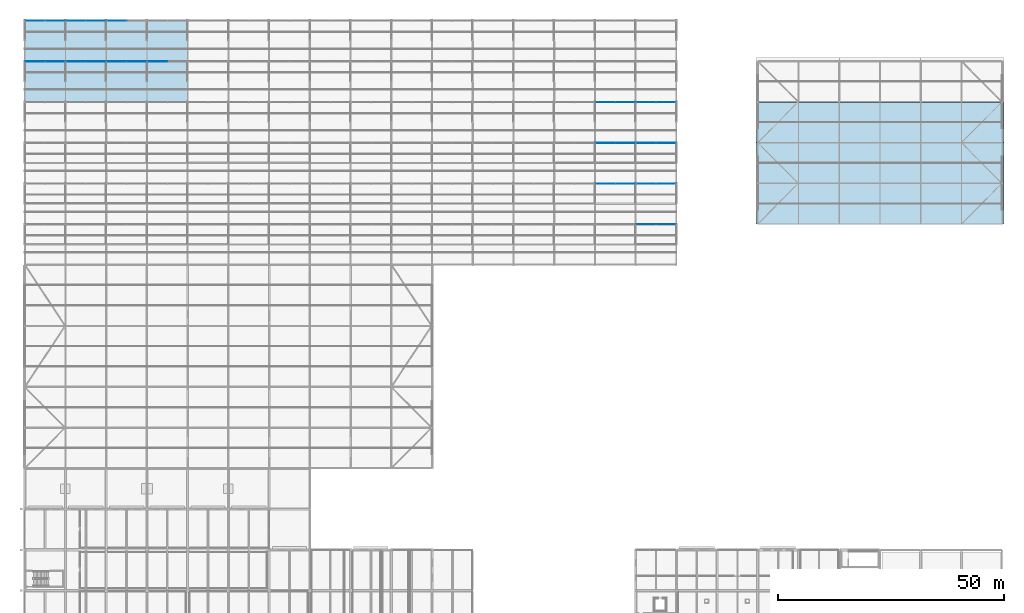
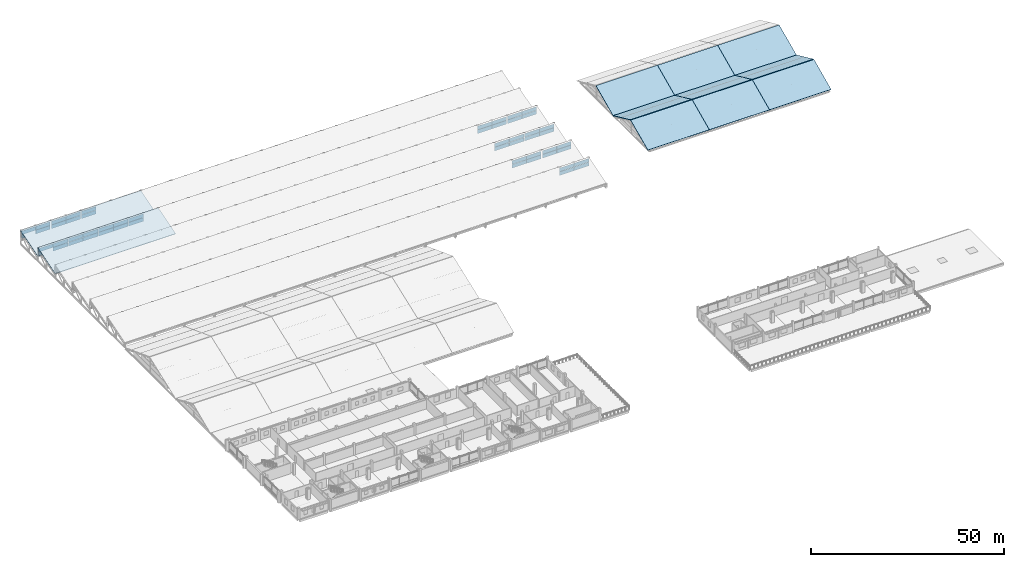
# One storey, part 114 of 163: 52 plates, 11 slabs, 14 elements without a shape of their own.
"""IFC4 building model written with IfcOpenShell, lengths in metres."""

import ifcopenshell
import ifcopenshell.guid

model = None  # the IFC model being written
_history = None  # IfcOwnerHistory: only IFC2X3 demands one
_inside = {}  # id of a spatial element -> (the spatial element, [elements in it])
_under = {}  # id of a project, library or spatial element -> (it, [spatial elements below it])
_declared = {}  # id of a project -> (the project, [libraries it declares])
_typed = {}  # id of a type object -> (the type object, [elements of that type])
_made_of = {}  # id of a material, layer set ... -> (it, [elements and type objects made of it])


def new_model(schema):
    """Start an empty IFC model of exactly this schema.

    Asked for "IFC4X3", IfcOpenShell would pick the latest addendum, in which some entities
    have other attributes; the version numbers below select the first issue.
    IFC2X3 requires an IfcOwnerHistory on every rooted entity: one is made here for all.
    """
    global model, _history
    if schema == "IFC4X3":
        model = ifcopenshell.file(schema_version=(4, 3, 0, 0))
    else:
        model = ifcopenshell.file(schema=schema)
    _inside.clear()
    _under.clear()
    _declared.clear()
    _typed.clear()
    _made_of.clear()
    _history = None
    if model.schema == "IFC2X3":
        org = make("IfcOrganization", Name="unknown")
        user = make(
            "IfcPersonAndOrganization",
            ThePerson=make("IfcPerson", FamilyName="unknown"),
            TheOrganization=org,
        )
        app = make(
            "IfcApplication",
            ApplicationDeveloper=org,
            Version="unknown",
            ApplicationFullName="unknown",
            ApplicationIdentifier="unknown",
        )
        _history = make(
            "IfcOwnerHistory",
            OwningUser=user,
            OwningApplication=app,
            ChangeAction="ADDED",
            CreationDate=0,
        )
    return model


def make(cls, **values):
    """One entity of the class cls with the attributes given. An attribute that is None is left unset."""
    return model.create_entity(
        cls, **{name: value for name, value in values.items() if value is not None}
    )


def rooted(cls, **values):
    """An entity with a GlobalId (a new one), such as an element, a storey or a relation."""
    return make(cls, GlobalId=ifcopenshell.guid.new(), OwnerHistory=_history, **values)


def si_unit(unit_type, name, prefix=None):
    """IfcSIUnit, for example si_unit("LENGTHUNIT", "METRE", prefix="MILLI")."""
    return make("IfcSIUnit", UnitType=unit_type, Prefix=prefix, Name=name)


def assignment(units):
    """IfcUnitAssignment: the units of a project."""
    return None if units is None else make("IfcUnitAssignment", Units=units)


def point(xyz):
    """IfcCartesianPoint."""
    return None if xyz is None else make("IfcCartesianPoint", Coordinates=xyz)


def direction(xyz):
    """IfcDirection."""
    return None if xyz is None else make("IfcDirection", DirectionRatios=xyz)


def frame(location, z_axis=None, x_axis=None):
    """IfcAxis2Placement3D, a coordinate frame: its origin and axes. An axis left out is left unset."""
    return make(
        "IfcAxis2Placement3D",
        Location=point(location),
        Axis=direction(z_axis),
        RefDirection=direction(x_axis),
    )


def frame_2d(location, x_axis=None):
    """IfcAxis2Placement2D, a coordinate frame in the plane: its origin and x axis."""
    return make(
        "IfcAxis2Placement2D", Location=point(location), RefDirection=direction(x_axis)
    )


def origin():
    """The frame at (0, 0, 0) with its axes left unset."""
    return frame((0.0, 0.0, 0.0))


def origin_2d():
    """The frame at (0, 0) in the plane with its x axis left unset."""
    return frame_2d((0.0, 0.0))


def place(relative_to, where):
    """IfcLocalPlacement: puts the frame where relative to a parent placement (None: the world)."""
    return make(
        "IfcLocalPlacement", PlacementRelTo=relative_to, RelativePlacement=where
    )


def context(
    kind, dimensions, precision=None, world=None, true_north=None, identifier=None
):
    """IfcGeometricRepresentationContext, for example the 3D "Model" context."""
    return make(
        "IfcGeometricRepresentationContext",
        ContextIdentifier=identifier,
        ContextType=kind,
        CoordinateSpaceDimension=dimensions,
        Precision=precision,
        WorldCoordinateSystem=world,
        TrueNorth=true_north,
    )


def subcontext(parent, identifier, kind, view, scale=None):
    """IfcGeometricRepresentationSubContext, for example "Body" below "Model"."""
    return make(
        "IfcGeometricRepresentationSubContext",
        ContextIdentifier=identifier,
        ContextType=kind,
        ParentContext=parent,
        TargetScale=scale,
        TargetView=view,
    )


def project(units=None, contexts=None):
    """IfcProject with its units and contexts."""
    return rooted(
        "IfcProject",
        Name="project",
        RepresentationContexts=contexts,
        UnitsInContext=assignment(units),
    )


def spatial(cls, under=None, at=None, **own):
    """A site, building, storey or space (cls), placed at a placement, below another one or the project."""
    s = rooted(cls, ObjectPlacement=at, **own)
    if under is not None:
        _under.setdefault(under.id(), (under, []))[1].append(s)
    return s


def polyline(points):
    """IfcPolyline through the points."""
    return make("IfcPolyline", Points=[point(p) for p in points])


def profile(cls, at=None, kind="AREA", **sizes):
    """A parametric profile (cls). Its sizes go by their IFC names, for example OverallWidth=200.0."""
    return make(cls, ProfileType=kind, Position=at, **sizes)


def rectangle(**sizes):
    """IfcRectangleProfileDef."""
    return profile("IfcRectangleProfileDef", **sizes)


def outline(outer, holes=None, kind="AREA"):
    """IfcArbitraryClosedProfileDef: a profile drawn as a closed curve; with holes, ...WithVoids."""
    if holes is None:
        return make("IfcArbitraryClosedProfileDef", ProfileType=kind, OuterCurve=outer)
    return make(
        "IfcArbitraryProfileDefWithVoids",
        ProfileType=kind,
        OuterCurve=outer,
        InnerCurves=holes,
    )


def extrude(swept, where, along, depth):
    """IfcExtrudedAreaSolid: the profile swept, set in the frame where, extruded along a direction by depth."""
    return make(
        "IfcExtrudedAreaSolid",
        SweptArea=swept,
        Position=where,
        ExtrudedDirection=direction(along),
        Depth=depth,
    )


def shape(context_of_items, identifier, shape_type, items):
    """IfcShapeRepresentation: the items that make up one representation, for example the "Body"."""
    return make(
        "IfcShapeRepresentation",
        ContextOfItems=context_of_items,
        RepresentationIdentifier=identifier,
        RepresentationType=shape_type,
        Items=items,
    )


def material(Name=None, Category=None):
    """IfcMaterial."""
    return make("IfcMaterial", Name=Name, Category=Category)


def layer(
    of_material, thickness, ventilated=None, Name=None, Category=None, Priority=None
):
    """IfcMaterialLayer: one layer of a wall or slab, of a material (None: an air gap)."""
    return make(
        "IfcMaterialLayer",
        Material=of_material,
        LayerThickness=thickness,
        IsVentilated=ventilated,
        Name=Name,
        Category=Category,
        Priority=Priority,
    )


def layer_set(layers, Name=None):
    """IfcMaterialLayerSet."""
    return make("IfcMaterialLayerSet", MaterialLayers=layers, LayerSetName=Name)


def made_of(thing, what):
    """Note that an element or type object is made of a material, layer set ...; save() writes the relation."""
    if what is not None:
        _made_of.setdefault(what.id(), (what, []))[1].append(thing)
    return thing


def type_object(cls, material=None, **own):
    """A type object (cls), such as IfcWallType, which elements share."""
    return made_of(rooted(cls, **own), material)


def element(
    cls,
    number,
    at=None,
    inside=None,
    cuts=None,
    type_object=None,
    material=None,
    context=None,
    identifier="Body",
    shape_type=None,
    held_by="IfcProductDefinitionShape",
    body=None,
    shapes=None,
    **own,
):
    """One element of the class cls, such as IfcWall. Its Tag is "e" and its number.

    at: its placement. inside: the storey or other place that contains it. cuts: it is an
    opening in that element (IfcRelVoidsElement). A single representation is given by context,
    identifier, shape_type and body (its items); several are given by shapes. held_by: the class
    of the entity that holds the representations. save() writes the other relations.
    """
    e = rooted(cls, Tag="e%d" % number, ObjectPlacement=at, **own)
    if body is not None:
        shapes = [shape(context, identifier, shape_type, body)]
    if shapes is not None:
        e.Representation = make(held_by, Representations=shapes)
    if inside is not None:
        _inside.setdefault(inside.id(), (inside, []))[1].append(e)
    if cuts is not None:
        rooted(
            "IfcRelVoidsElement", RelatingBuildingElement=cuts, RelatedOpeningElement=e
        )
    if type_object is not None:
        _typed.setdefault(type_object.id(), (type_object, []))[1].append(e)
    return made_of(e, material)


def aggregate(whole, parts):
    """IfcRelAggregates: a whole, such as a stair, and the parts it consists of."""
    return rooted("IfcRelAggregates", RelatingObject=whole, RelatedObjects=parts)


def save(model, path):
    """Write the relations noted so far, then the file.

    IfcRelAggregates (storeys below a building ...), IfcRelContainedInSpatialStructure (elements
    in a storey), IfcRelDefinesByType, IfcRelAssociatesMaterial and IfcRelDeclares: one each for
    every whole, place, type object, material and project.
    """
    for whole, parts in _under.values():
        aggregate(whole, parts)
    for where, things in _inside.values():
        rooted(
            "IfcRelContainedInSpatialStructure",
            RelatedElements=things,
            RelatingStructure=where,
        )
    for kind, things in _typed.values():
        rooted("IfcRelDefinesByType", RelatedObjects=things, RelatingType=kind)
    for what, things in _made_of.values():
        rooted("IfcRelAssociatesMaterial", RelatedObjects=things, RelatingMaterial=what)
    for by, libraries in _declared.values():
        rooted("IfcRelDeclares", RelatingContext=by, RelatedDefinitions=libraries)
    model.write(path)


model = new_model("IFC4")

# Units and contexts
model_context = context("Model", 3, precision=1e-05, world=origin(), true_north=direction((0.0, 1.0)))
body_context = subcontext(model_context, "Body", "Model", "MODEL_VIEW")
ifc_project = project(units=[si_unit("LENGTHUNIT", "METRE"), si_unit("AREAUNIT", "SQUARE_METRE"), si_unit("VOLUMEUNIT", "CUBIC_METRE"), si_unit("PLANEANGLEUNIT", "RADIAN"), si_unit("MASSUNIT", "GRAM", prefix="KILO")], contexts=[model_context])

# Site, building, storey
site_placement = place(None, origin())
site = spatial("IfcSite", under=ifc_project, at=site_placement, CompositionType="ELEMENT")
building_placement = place(site_placement, origin())
building = spatial("IfcBuilding", under=site, at=building_placement, Name="Tharagai Park Tramway Depot", CompositionType="ELEMENT")
storey_placement = place(building_placement, frame((0.0, 0.0, 8.39990234375)))
storey = spatial("IfcBuildingStorey", under=building, at=storey_placement, Name="L02", CompositionType="ELEMENT", Elevation=8.39990234375)

# Curtain wall, plates
ifc_material_1 = material(Name="Anodised aluminium", Category="aluminium")
curtain_wall_type_1 = type_object("IfcCurtainWallType", Name="CW-04", PredefinedType="NOTDEFINED", material=ifc_material_1)
curtain_wall_1_placement = place(storey_placement, origin())
curtain_wall_1 = element("IfcCurtainWall", 1, at=curtain_wall_1_placement, inside=storey, type_object=curtain_wall_type_1, Name="Sawtooth North-Light Clerestory CW-04", PredefinedType="NOTDEFINED")
ifc_material_2 = material(Name="Laminated solar-control glass", Category="glass")
ifc_layer_1 = layer(ifc_material_2, 0.028076171875)
ifc_layer_set_1 = layer_set([ifc_layer_1], Name="Laminated solar-control glass")
plate_type = type_object("IfcPlateType", Name="CP-02", PredefinedType="CURTAIN_PANEL", material=ifc_layer_set_1)
plate_1_placement = place(storey_placement, frame((137.300048828125, 98.919921875, 1.28515625), z_axis=(0.0, 0.0, 1.0), x_axis=(1.0, 0.0, 0.0)))
plate_1 = element("IfcPlate", 2, at=plate_1_placement, type_object=plate_type, Name="Sawtooth North-Light Clerestory Glazed Panel 1.1", PredefinedType="CURTAIN_PANEL", context=body_context, shape_type="SweptSolid", body=[
    extrude(rectangle(XDim=4.3798828125, YDim=0.028076171875, at=origin_2d()), origin(), (0.0, 0.0, 1.0), 1.168701171875),
])
plate_2_placement = place(storey_placement, frame((137.300048828125, 98.919921875, 2.49365234375), z_axis=(0.0, 0.0, 1.0), x_axis=(1.0, 0.0, 0.0)))
plate_2 = element("IfcPlate", 3, at=plate_2_placement, type_object=plate_type, Name="Sawtooth North-Light Clerestory Glazed Panel 1.2", PredefinedType="CURTAIN_PANEL", context=body_context, shape_type="SweptSolid", body=[
    extrude(rectangle(XDim=4.3798828125, YDim=0.028076171875, at=origin_2d()), origin(), (0.0, 0.0, 1.0), 1.148681640625),
])
plate_3_placement = place(storey_placement, frame((141.699951171875, 98.919921875, 1.28515625), z_axis=(0.0, 0.0, 1.0), x_axis=(1.0, 0.0, 0.0)))
plate_3 = element("IfcPlate", 4, at=plate_3_placement, type_object=plate_type, Name="Sawtooth North-Light Clerestory Glazed Panel 2.1", PredefinedType="CURTAIN_PANEL", context=body_context, shape_type="SweptSolid", body=[
    extrude(rectangle(XDim=4.3798828125, YDim=0.028076171875, at=origin_2d()), origin(), (0.0, 0.0, 1.0), 1.168701171875),
])
plate_4_placement = place(storey_placement, frame((141.699951171875, 98.919921875, 2.49365234375), z_axis=(0.0, 0.0, 1.0), x_axis=(1.0, 0.0, 0.0)))
plate_4 = element("IfcPlate", 5, at=plate_4_placement, type_object=plate_type, Name="Sawtooth North-Light Clerestory Glazed Panel 2.2", PredefinedType="CURTAIN_PANEL", context=body_context, shape_type="SweptSolid", body=[
    extrude(rectangle(XDim=4.3798828125, YDim=0.028076171875, at=origin_2d()), origin(), (0.0, 0.0, 1.0), 1.148681640625),
])
aggregate(curtain_wall_1, [plate_1, plate_2, plate_3, plate_4])

curtain_wall_type_2 = type_object("IfcCurtainWallType", Name="CW-03", PredefinedType="NOTDEFINED", material=ifc_material_1)
curtain_wall_2_placement = place(storey_placement, origin())
curtain_wall_2 = element("IfcCurtainWall", 6, at=curtain_wall_2_placement, inside=storey, type_object=curtain_wall_type_2, Name="Sawtooth North-Light Clerestory CW-03", PredefinedType="NOTDEFINED")
plate_5_placement = place(storey_placement, frame((128.340087890625, 107.919921875, 1.28515625), z_axis=(0.0, 0.0, 1.0), x_axis=(1.0, 0.0, 0.0)))
plate_5 = element("IfcPlate", 7, at=plate_5_placement, type_object=plate_type, Name="Sawtooth North-Light Clerestory Glazed Panel 1.1", PredefinedType="CURTAIN_PANEL", context=body_context, shape_type="SweptSolid", body=[
    extrude(rectangle(XDim=4.300048828125, YDim=0.028076171875, at=origin_2d()), origin(), (0.0, 0.0, 1.0), 1.168701171875),
])
plate_6_placement = place(storey_placement, frame((128.340087890625, 107.919921875, 2.49365234375), z_axis=(0.0, 0.0, 1.0), x_axis=(1.0, 0.0, 0.0)))
plate_6 = element("IfcPlate", 8, at=plate_6_placement, type_object=plate_type, Name="Sawtooth North-Light Clerestory Glazed Panel 1.2", PredefinedType="CURTAIN_PANEL", context=body_context, shape_type="SweptSolid", body=[
    extrude(rectangle(XDim=4.300048828125, YDim=0.028076171875, at=origin_2d()), origin(), (0.0, 0.0, 1.0), 1.148681640625),
])
plate_7_placement = place(storey_placement, frame((132.659912109375, 107.919921875, 1.28515625), z_axis=(0.0, 0.0, 1.0), x_axis=(1.0, 0.0, 0.0)))
plate_7 = element("IfcPlate", 9, at=plate_7_placement, type_object=plate_type, Name="Sawtooth North-Light Clerestory Glazed Panel 2.1", PredefinedType="CURTAIN_PANEL", context=body_context, shape_type="SweptSolid", body=[
    extrude(rectangle(XDim=4.300048828125, YDim=0.028076171875, at=origin_2d()), origin(), (0.0, 0.0, 1.0), 1.168701171875),
])
plate_8_placement = place(storey_placement, frame((132.659912109375, 107.919921875, 2.49365234375), z_axis=(0.0, 0.0, 1.0), x_axis=(1.0, 0.0, 0.0)))
plate_8 = element("IfcPlate", 10, at=plate_8_placement, type_object=plate_type, Name="Sawtooth North-Light Clerestory Glazed Panel 2.2", PredefinedType="CURTAIN_PANEL", context=body_context, shape_type="SweptSolid", body=[
    extrude(rectangle(XDim=4.300048828125, YDim=0.028076171875, at=origin_2d()), origin(), (0.0, 0.0, 1.0), 1.148681640625),
])
aggregate(curtain_wall_2, [plate_5, plate_6, plate_7, plate_8])

curtain_wall_3_placement = place(storey_placement, origin())
curtain_wall_3 = element("IfcCurtainWall", 11, at=curtain_wall_3_placement, inside=storey, type_object=curtain_wall_type_2, Name="Sawtooth North-Light Clerestory CW-03", PredefinedType="NOTDEFINED")
plate_9_placement = place(storey_placement, frame((137.340087890625, 107.919921875, 1.28515625), z_axis=(0.0, 0.0, 1.0), x_axis=(1.0, 0.0, 0.0)))
plate_9 = element("IfcPlate", 12, at=plate_9_placement, type_object=plate_type, Name="Sawtooth North-Light Clerestory Glazed Panel 1.1", PredefinedType="CURTAIN_PANEL", context=body_context, shape_type="SweptSolid", body=[
    extrude(rectangle(XDim=4.300048828125, YDim=0.028076171875, at=origin_2d()), origin(), (0.0, 0.0, 1.0), 1.168701171875),
])
plate_10_placement = place(storey_placement, frame((137.340087890625, 107.919921875, 2.49365234375), z_axis=(0.0, 0.0, 1.0), x_axis=(1.0, 0.0, 0.0)))
plate_10 = element("IfcPlate", 13, at=plate_10_placement, type_object=plate_type, Name="Sawtooth North-Light Clerestory Glazed Panel 1.2", PredefinedType="CURTAIN_PANEL", context=body_context, shape_type="SweptSolid", body=[
    extrude(rectangle(XDim=4.300048828125, YDim=0.028076171875, at=origin_2d()), origin(), (0.0, 0.0, 1.0), 1.148681640625),
])
plate_11_placement = place(storey_placement, frame((141.659912109375, 107.919921875, 1.28515625), z_axis=(0.0, 0.0, 1.0), x_axis=(1.0, 0.0, 0.0)))
plate_11 = element("IfcPlate", 14, at=plate_11_placement, type_object=plate_type, Name="Sawtooth North-Light Clerestory Glazed Panel 2.1", PredefinedType="CURTAIN_PANEL", context=body_context, shape_type="SweptSolid", body=[
    extrude(rectangle(XDim=4.300048828125, YDim=0.028076171875, at=origin_2d()), origin(), (0.0, 0.0, 1.0), 1.168701171875),
])
plate_12_placement = place(storey_placement, frame((141.659912109375, 107.919921875, 2.49365234375), z_axis=(0.0, 0.0, 1.0), x_axis=(1.0, 0.0, 0.0)))
plate_12 = element("IfcPlate", 15, at=plate_12_placement, type_object=plate_type, Name="Sawtooth North-Light Clerestory Glazed Panel 2.2", PredefinedType="CURTAIN_PANEL", context=body_context, shape_type="SweptSolid", body=[
    extrude(rectangle(XDim=4.300048828125, YDim=0.028076171875, at=origin_2d()), origin(), (0.0, 0.0, 1.0), 1.148681640625),
])
aggregate(curtain_wall_3, [plate_9, plate_10, plate_11, plate_12])

curtain_wall_4_placement = place(storey_placement, origin())
curtain_wall_4 = element("IfcCurtainWall", 16, at=curtain_wall_4_placement, inside=storey, type_object=curtain_wall_type_1, Name="Sawtooth North-Light Clerestory CW-04", PredefinedType="NOTDEFINED")
plate_13_placement = place(storey_placement, frame((128.300048828125, 116.919921875, 1.28515625), z_axis=(0.0, 0.0, 1.0), x_axis=(1.0, 0.0, 0.0)))
plate_13 = element("IfcPlate", 17, at=plate_13_placement, type_object=plate_type, Name="Sawtooth North-Light Clerestory Glazed Panel 1.1", PredefinedType="CURTAIN_PANEL", context=body_context, shape_type="SweptSolid", body=[
    extrude(rectangle(XDim=4.3798828125, YDim=0.028076171875, at=origin_2d()), origin(), (0.0, 0.0, 1.0), 1.168701171875),
])
plate_14_placement = place(storey_placement, frame((128.300048828125, 116.919921875, 2.49365234375), z_axis=(0.0, 0.0, 1.0), x_axis=(1.0, 0.0, 0.0)))
plate_14 = element("IfcPlate", 18, at=plate_14_placement, type_object=plate_type, Name="Sawtooth North-Light Clerestory Glazed Panel 1.2", PredefinedType="CURTAIN_PANEL", context=body_context, shape_type="SweptSolid", body=[
    extrude(rectangle(XDim=4.3798828125, YDim=0.028076171875, at=origin_2d()), origin(), (0.0, 0.0, 1.0), 1.148681640625),
])
plate_15_placement = place(storey_placement, frame((132.699951171875, 116.919921875, 1.28515625), z_axis=(0.0, 0.0, 1.0), x_axis=(1.0, 0.0, 0.0)))
plate_15 = element("IfcPlate", 19, at=plate_15_placement, type_object=plate_type, Name="Sawtooth North-Light Clerestory Glazed Panel 2.1", PredefinedType="CURTAIN_PANEL", context=body_context, shape_type="SweptSolid", body=[
    extrude(rectangle(XDim=4.3798828125, YDim=0.028076171875, at=origin_2d()), origin(), (0.0, 0.0, 1.0), 1.168701171875),
])
plate_16_placement = place(storey_placement, frame((132.699951171875, 116.919921875, 2.49365234375), z_axis=(0.0, 0.0, 1.0), x_axis=(1.0, 0.0, 0.0)))
plate_16 = element("IfcPlate", 20, at=plate_16_placement, type_object=plate_type, Name="Sawtooth North-Light Clerestory Glazed Panel 2.2", PredefinedType="CURTAIN_PANEL", context=body_context, shape_type="SweptSolid", body=[
    extrude(rectangle(XDim=4.3798828125, YDim=0.028076171875, at=origin_2d()), origin(), (0.0, 0.0, 1.0), 1.148681640625),
])
aggregate(curtain_wall_4, [plate_13, plate_14, plate_15, plate_16])

curtain_wall_5_placement = place(storey_placement, origin())
curtain_wall_5 = element("IfcCurtainWall", 21, at=curtain_wall_5_placement, inside=storey, type_object=curtain_wall_type_1, Name="Sawtooth North-Light Clerestory CW-04", PredefinedType="NOTDEFINED")
plate_17_placement = place(storey_placement, frame((137.300048828125, 116.919921875, 1.28515625), z_axis=(0.0, 0.0, 1.0), x_axis=(1.0, 0.0, 0.0)))
plate_17 = element("IfcPlate", 22, at=plate_17_placement, type_object=plate_type, Name="Sawtooth North-Light Clerestory Glazed Panel 1.1", PredefinedType="CURTAIN_PANEL", context=body_context, shape_type="SweptSolid", body=[
    extrude(rectangle(XDim=4.3798828125, YDim=0.028076171875, at=origin_2d()), origin(), (0.0, 0.0, 1.0), 1.168701171875),
])
plate_18_placement = place(storey_placement, frame((137.300048828125, 116.919921875, 2.49365234375), z_axis=(0.0, 0.0, 1.0), x_axis=(1.0, 0.0, 0.0)))
plate_18 = element("IfcPlate", 23, at=plate_18_placement, type_object=plate_type, Name="Sawtooth North-Light Clerestory Glazed Panel 1.2", PredefinedType="CURTAIN_PANEL", context=body_context, shape_type="SweptSolid", body=[
    extrude(rectangle(XDim=4.3798828125, YDim=0.028076171875, at=origin_2d()), origin(), (0.0, 0.0, 1.0), 1.148681640625),
])
plate_19_placement = place(storey_placement, frame((141.699951171875, 116.919921875, 1.28515625), z_axis=(0.0, 0.0, 1.0), x_axis=(1.0, 0.0, 0.0)))
plate_19 = element("IfcPlate", 24, at=plate_19_placement, type_object=plate_type, Name="Sawtooth North-Light Clerestory Glazed Panel 2.1", PredefinedType="CURTAIN_PANEL", context=body_context, shape_type="SweptSolid", body=[
    extrude(rectangle(XDim=4.3798828125, YDim=0.028076171875, at=origin_2d()), origin(), (0.0, 0.0, 1.0), 1.168701171875),
])
plate_20_placement = place(storey_placement, frame((141.699951171875, 116.919921875, 2.49365234375), z_axis=(0.0, 0.0, 1.0), x_axis=(1.0, 0.0, 0.0)))
plate_20 = element("IfcPlate", 25, at=plate_20_placement, type_object=plate_type, Name="Sawtooth North-Light Clerestory Glazed Panel 2.2", PredefinedType="CURTAIN_PANEL", context=body_context, shape_type="SweptSolid", body=[
    extrude(rectangle(XDim=4.3798828125, YDim=0.028076171875, at=origin_2d()), origin(), (0.0, 0.0, 1.0), 1.148681640625),
])
aggregate(curtain_wall_5, [plate_17, plate_18, plate_19, plate_20])

curtain_wall_6_placement = place(storey_placement, origin())
curtain_wall_6 = element("IfcCurtainWall", 26, at=curtain_wall_6_placement, inside=storey, type_object=curtain_wall_type_2, Name="Sawtooth North-Light Clerestory CW-03", PredefinedType="NOTDEFINED")
plate_21_placement = place(storey_placement, frame((128.340087890625, 125.919921875, 1.28515625), z_axis=(0.0, 0.0, 1.0), x_axis=(1.0, 0.0, 0.0)))
plate_21 = element("IfcPlate", 27, at=plate_21_placement, type_object=plate_type, Name="Sawtooth North-Light Clerestory Glazed Panel 1.1", PredefinedType="CURTAIN_PANEL", context=body_context, shape_type="SweptSolid", body=[
    extrude(rectangle(XDim=4.300048828125, YDim=0.028076171875, at=origin_2d()), origin(), (0.0, 0.0, 1.0), 1.168701171875),
])
plate_22_placement = place(storey_placement, frame((128.340087890625, 125.919921875, 2.49365234375), z_axis=(0.0, 0.0, 1.0), x_axis=(1.0, 0.0, 0.0)))
plate_22 = element("IfcPlate", 28, at=plate_22_placement, type_object=plate_type, Name="Sawtooth North-Light Clerestory Glazed Panel 1.2", PredefinedType="CURTAIN_PANEL", context=body_context, shape_type="SweptSolid", body=[
    extrude(rectangle(XDim=4.300048828125, YDim=0.028076171875, at=origin_2d()), origin(), (0.0, 0.0, 1.0), 1.148681640625),
])
plate_23_placement = place(storey_placement, frame((132.659912109375, 125.919921875, 1.28515625), z_axis=(0.0, 0.0, 1.0), x_axis=(1.0, 0.0, 0.0)))
plate_23 = element("IfcPlate", 29, at=plate_23_placement, type_object=plate_type, Name="Sawtooth North-Light Clerestory Glazed Panel 2.1", PredefinedType="CURTAIN_PANEL", context=body_context, shape_type="SweptSolid", body=[
    extrude(rectangle(XDim=4.300048828125, YDim=0.028076171875, at=origin_2d()), origin(), (0.0, 0.0, 1.0), 1.168701171875),
])
plate_24_placement = place(storey_placement, frame((132.659912109375, 125.919921875, 2.49365234375), z_axis=(0.0, 0.0, 1.0), x_axis=(1.0, 0.0, 0.0)))
plate_24 = element("IfcPlate", 30, at=plate_24_placement, type_object=plate_type, Name="Sawtooth North-Light Clerestory Glazed Panel 2.2", PredefinedType="CURTAIN_PANEL", context=body_context, shape_type="SweptSolid", body=[
    extrude(rectangle(XDim=4.300048828125, YDim=0.028076171875, at=origin_2d()), origin(), (0.0, 0.0, 1.0), 1.148681640625),
])
aggregate(curtain_wall_6, [plate_21, plate_22, plate_23, plate_24])

curtain_wall_7_placement = place(storey_placement, origin())
curtain_wall_7 = element("IfcCurtainWall", 31, at=curtain_wall_7_placement, inside=storey, type_object=curtain_wall_type_2, Name="Sawtooth North-Light Clerestory CW-03", PredefinedType="NOTDEFINED")
plate_25_placement = place(storey_placement, frame((137.340087890625, 125.919921875, 1.28515625), z_axis=(0.0, 0.0, 1.0), x_axis=(1.0, 0.0, 0.0)))
plate_25 = element("IfcPlate", 32, at=plate_25_placement, type_object=plate_type, Name="Sawtooth North-Light Clerestory Glazed Panel 1.1", PredefinedType="CURTAIN_PANEL", context=body_context, shape_type="SweptSolid", body=[
    extrude(rectangle(XDim=4.300048828125, YDim=0.028076171875, at=origin_2d()), origin(), (0.0, 0.0, 1.0), 1.168701171875),
])
plate_26_placement = place(storey_placement, frame((137.340087890625, 125.919921875, 2.49365234375), z_axis=(0.0, 0.0, 1.0), x_axis=(1.0, 0.0, 0.0)))
plate_26 = element("IfcPlate", 33, at=plate_26_placement, type_object=plate_type, Name="Sawtooth North-Light Clerestory Glazed Panel 1.2", PredefinedType="CURTAIN_PANEL", context=body_context, shape_type="SweptSolid", body=[
    extrude(rectangle(XDim=4.300048828125, YDim=0.028076171875, at=origin_2d()), origin(), (0.0, 0.0, 1.0), 1.148681640625),
])
plate_27_placement = place(storey_placement, frame((141.659912109375, 125.919921875, 1.28515625), z_axis=(0.0, 0.0, 1.0), x_axis=(1.0, 0.0, 0.0)))
plate_27 = element("IfcPlate", 34, at=plate_27_placement, type_object=plate_type, Name="Sawtooth North-Light Clerestory Glazed Panel 2.1", PredefinedType="CURTAIN_PANEL", context=body_context, shape_type="SweptSolid", body=[
    extrude(rectangle(XDim=4.300048828125, YDim=0.028076171875, at=origin_2d()), origin(), (0.0, 0.0, 1.0), 1.168701171875),
])
plate_28_placement = place(storey_placement, frame((141.659912109375, 125.919921875, 2.49365234375), z_axis=(0.0, 0.0, 1.0), x_axis=(1.0, 0.0, 0.0)))
plate_28 = element("IfcPlate", 35, at=plate_28_placement, type_object=plate_type, Name="Sawtooth North-Light Clerestory Glazed Panel 2.2", PredefinedType="CURTAIN_PANEL", context=body_context, shape_type="SweptSolid", body=[
    extrude(rectangle(XDim=4.300048828125, YDim=0.028076171875, at=origin_2d()), origin(), (0.0, 0.0, 1.0), 1.148681640625),
])
aggregate(curtain_wall_7, [plate_25, plate_26, plate_27, plate_28])

curtain_wall_8_placement = place(storey_placement, origin())
curtain_wall_8 = element("IfcCurtainWall", 36, at=curtain_wall_8_placement, inside=storey, type_object=curtain_wall_type_1, Name="Sawtooth North-Light Clerestory CW-04", PredefinedType="NOTDEFINED")
plate_29_placement = place(storey_placement, frame((2.300048828125, 134.919921875, 1.28515625), z_axis=(0.0, 0.0, 1.0), x_axis=(1.0, 0.0, 0.0)))
plate_29 = element("IfcPlate", 37, at=plate_29_placement, type_object=plate_type, Name="Sawtooth North-Light Clerestory Glazed Panel 1.1", PredefinedType="CURTAIN_PANEL", context=body_context, shape_type="SweptSolid", body=[
    extrude(rectangle(XDim=4.3798828125, YDim=0.028076171875, at=origin_2d()), origin(), (0.0, 0.0, 1.0), 1.168701171875),
])
plate_30_placement = place(storey_placement, frame((2.300048828125, 134.919921875, 2.49365234375), z_axis=(0.0, 0.0, 1.0), x_axis=(1.0, 0.0, 0.0)))
plate_30 = element("IfcPlate", 38, at=plate_30_placement, type_object=plate_type, Name="Sawtooth North-Light Clerestory Glazed Panel 1.2", PredefinedType="CURTAIN_PANEL", context=body_context, shape_type="SweptSolid", body=[
    extrude(rectangle(XDim=4.3798828125, YDim=0.028076171875, at=origin_2d()), origin(), (0.0, 0.0, 1.0), 1.148681640625),
])
plate_31_placement = place(storey_placement, frame((6.699951171875, 134.919921875, 1.28515625), z_axis=(0.0, 0.0, 1.0), x_axis=(1.0, 0.0, 0.0)))
plate_31 = element("IfcPlate", 39, at=plate_31_placement, type_object=plate_type, Name="Sawtooth North-Light Clerestory Glazed Panel 2.1", PredefinedType="CURTAIN_PANEL", context=body_context, shape_type="SweptSolid", body=[
    extrude(rectangle(XDim=4.3798828125, YDim=0.028076171875, at=origin_2d()), origin(), (0.0, 0.0, 1.0), 1.168701171875),
])
plate_32_placement = place(storey_placement, frame((6.699951171875, 134.919921875, 2.49365234375), z_axis=(0.0, 0.0, 1.0), x_axis=(1.0, 0.0, 0.0)))
plate_32 = element("IfcPlate", 40, at=plate_32_placement, type_object=plate_type, Name="Sawtooth North-Light Clerestory Glazed Panel 2.2", PredefinedType="CURTAIN_PANEL", context=body_context, shape_type="SweptSolid", body=[
    extrude(rectangle(XDim=4.3798828125, YDim=0.028076171875, at=origin_2d()), origin(), (0.0, 0.0, 1.0), 1.148681640625),
])
aggregate(curtain_wall_8, [plate_29, plate_30, plate_31, plate_32])

curtain_wall_9_placement = place(storey_placement, origin())
curtain_wall_9 = element("IfcCurtainWall", 41, at=curtain_wall_9_placement, inside=storey, type_object=curtain_wall_type_1, Name="Sawtooth North-Light Clerestory CW-04", PredefinedType="NOTDEFINED")
plate_33_placement = place(storey_placement, frame((11.300048828125, 134.919921875, 1.28515625), z_axis=(0.0, 0.0, 1.0), x_axis=(1.0, 0.0, 0.0)))
plate_33 = element("IfcPlate", 42, at=plate_33_placement, type_object=plate_type, Name="Sawtooth North-Light Clerestory Glazed Panel 1.1", PredefinedType="CURTAIN_PANEL", context=body_context, shape_type="SweptSolid", body=[
    extrude(rectangle(XDim=4.3798828125, YDim=0.028076171875, at=origin_2d()), origin(), (0.0, 0.0, 1.0), 1.168701171875),
])
plate_34_placement = place(storey_placement, frame((11.300048828125, 134.919921875, 2.49365234375), z_axis=(0.0, 0.0, 1.0), x_axis=(1.0, 0.0, 0.0)))
plate_34 = element("IfcPlate", 43, at=plate_34_placement, type_object=plate_type, Name="Sawtooth North-Light Clerestory Glazed Panel 1.2", PredefinedType="CURTAIN_PANEL", context=body_context, shape_type="SweptSolid", body=[
    extrude(rectangle(XDim=4.3798828125, YDim=0.028076171875, at=origin_2d()), origin(), (0.0, 0.0, 1.0), 1.148681640625),
])
plate_35_placement = place(storey_placement, frame((15.699951171875, 134.919921875, 1.28515625), z_axis=(0.0, 0.0, 1.0), x_axis=(1.0, 0.0, 0.0)))
plate_35 = element("IfcPlate", 44, at=plate_35_placement, type_object=plate_type, Name="Sawtooth North-Light Clerestory Glazed Panel 2.1", PredefinedType="CURTAIN_PANEL", context=body_context, shape_type="SweptSolid", body=[
    extrude(rectangle(XDim=4.3798828125, YDim=0.028076171875, at=origin_2d()), origin(), (0.0, 0.0, 1.0), 1.168701171875),
])
plate_36_placement = place(storey_placement, frame((15.699951171875, 134.919921875, 2.49365234375), z_axis=(0.0, 0.0, 1.0), x_axis=(1.0, 0.0, 0.0)))
plate_36 = element("IfcPlate", 45, at=plate_36_placement, type_object=plate_type, Name="Sawtooth North-Light Clerestory Glazed Panel 2.2", PredefinedType="CURTAIN_PANEL", context=body_context, shape_type="SweptSolid", body=[
    extrude(rectangle(XDim=4.3798828125, YDim=0.028076171875, at=origin_2d()), origin(), (0.0, 0.0, 1.0), 1.148681640625),
])
aggregate(curtain_wall_9, [plate_33, plate_34, plate_35, plate_36])

curtain_wall_10_placement = place(storey_placement, origin())
curtain_wall_10 = element("IfcCurtainWall", 46, at=curtain_wall_10_placement, inside=storey, type_object=curtain_wall_type_1, Name="Sawtooth North-Light Clerestory CW-04", PredefinedType="NOTDEFINED")
plate_37_placement = place(storey_placement, frame((20.300048828125, 134.919921875, 1.28515625), z_axis=(0.0, 0.0, 1.0), x_axis=(1.0, 0.0, 0.0)))
plate_37 = element("IfcPlate", 47, at=plate_37_placement, type_object=plate_type, Name="Sawtooth North-Light Clerestory Glazed Panel 1.1", PredefinedType="CURTAIN_PANEL", context=body_context, shape_type="SweptSolid", body=[
    extrude(rectangle(XDim=4.3798828125, YDim=0.028076171875, at=origin_2d()), origin(), (0.0, 0.0, 1.0), 1.168701171875),
])
plate_38_placement = place(storey_placement, frame((20.300048828125, 134.919921875, 2.49365234375), z_axis=(0.0, 0.0, 1.0), x_axis=(1.0, 0.0, 0.0)))
plate_38 = element("IfcPlate", 48, at=plate_38_placement, type_object=plate_type, Name="Sawtooth North-Light Clerestory Glazed Panel 1.2", PredefinedType="CURTAIN_PANEL", context=body_context, shape_type="SweptSolid", body=[
    extrude(rectangle(XDim=4.3798828125, YDim=0.028076171875, at=origin_2d()), origin(), (0.0, 0.0, 1.0), 1.148681640625),
])
plate_39_placement = place(storey_placement, frame((24.699951171875, 134.919921875, 1.28515625), z_axis=(0.0, 0.0, 1.0), x_axis=(1.0, 0.0, 0.0)))
plate_39 = element("IfcPlate", 49, at=plate_39_placement, type_object=plate_type, Name="Sawtooth North-Light Clerestory Glazed Panel 2.1", PredefinedType="CURTAIN_PANEL", context=body_context, shape_type="SweptSolid", body=[
    extrude(rectangle(XDim=4.3798828125, YDim=0.028076171875, at=origin_2d()), origin(), (0.0, 0.0, 1.0), 1.168701171875),
])
plate_40_placement = place(storey_placement, frame((24.699951171875, 134.919921875, 2.49365234375), z_axis=(0.0, 0.0, 1.0), x_axis=(1.0, 0.0, 0.0)))
plate_40 = element("IfcPlate", 50, at=plate_40_placement, type_object=plate_type, Name="Sawtooth North-Light Clerestory Glazed Panel 2.2", PredefinedType="CURTAIN_PANEL", context=body_context, shape_type="SweptSolid", body=[
    extrude(rectangle(XDim=4.3798828125, YDim=0.028076171875, at=origin_2d()), origin(), (0.0, 0.0, 1.0), 1.148681640625),
])
aggregate(curtain_wall_10, [plate_37, plate_38, plate_39, plate_40])

curtain_wall_11_placement = place(storey_placement, origin())
curtain_wall_11 = element("IfcCurtainWall", 51, at=curtain_wall_11_placement, inside=storey, type_object=curtain_wall_type_1, Name="Sawtooth North-Light Clerestory CW-04", PredefinedType="NOTDEFINED")
plate_41_placement = place(storey_placement, frame((29.300048828125, 134.919921875, 1.28515625), z_axis=(0.0, 0.0, 1.0), x_axis=(1.0, 0.0, 0.0)))
plate_41 = element("IfcPlate", 52, at=plate_41_placement, type_object=plate_type, Name="Sawtooth North-Light Clerestory Glazed Panel 1.1", PredefinedType="CURTAIN_PANEL", context=body_context, shape_type="SweptSolid", body=[
    extrude(rectangle(XDim=4.3798828125, YDim=0.028076171875, at=origin_2d()), origin(), (0.0, 0.0, 1.0), 1.168701171875),
])
plate_42_placement = place(storey_placement, frame((29.300048828125, 134.919921875, 2.49365234375), z_axis=(0.0, 0.0, 1.0), x_axis=(1.0, 0.0, 0.0)))
plate_42 = element("IfcPlate", 53, at=plate_42_placement, type_object=plate_type, Name="Sawtooth North-Light Clerestory Glazed Panel 1.2", PredefinedType="CURTAIN_PANEL", context=body_context, shape_type="SweptSolid", body=[
    extrude(rectangle(XDim=4.3798828125, YDim=0.028076171875, at=origin_2d()), origin(), (0.0, 0.0, 1.0), 1.148681640625),
])
aggregate(curtain_wall_11, [plate_41, plate_42])

curtain_wall_12_placement = place(storey_placement, origin())
curtain_wall_12 = element("IfcCurtainWall", 54, at=curtain_wall_12_placement, inside=storey, type_object=curtain_wall_type_2, Name="Sawtooth North-Light Clerestory CW-03", PredefinedType="NOTDEFINED")
plate_43_placement = place(storey_placement, frame((2.340087890625, 143.919921875, 1.28515625), z_axis=(0.0, 0.0, 1.0), x_axis=(1.0, 0.0, 0.0)))
plate_43 = element("IfcPlate", 55, at=plate_43_placement, type_object=plate_type, Name="Sawtooth North-Light Clerestory Glazed Panel 1.1", PredefinedType="CURTAIN_PANEL", context=body_context, shape_type="SweptSolid", body=[
    extrude(rectangle(XDim=4.300048828125, YDim=0.028076171875, at=origin_2d()), origin(), (0.0, 0.0, 1.0), 1.168701171875),
])
plate_44_placement = place(storey_placement, frame((2.340087890625, 143.919921875, 2.49365234375), z_axis=(0.0, 0.0, 1.0), x_axis=(1.0, 0.0, 0.0)))
plate_44 = element("IfcPlate", 56, at=plate_44_placement, type_object=plate_type, Name="Sawtooth North-Light Clerestory Glazed Panel 1.2", PredefinedType="CURTAIN_PANEL", context=body_context, shape_type="SweptSolid", body=[
    extrude(rectangle(XDim=4.300048828125, YDim=0.028076171875, at=origin_2d()), origin(), (0.0, 0.0, 1.0), 1.148681640625),
])
plate_45_placement = place(storey_placement, frame((6.659912109375, 143.919921875, 1.28515625), z_axis=(0.0, 0.0, 1.0), x_axis=(1.0, 0.0, 0.0)))
plate_45 = element("IfcPlate", 57, at=plate_45_placement, type_object=plate_type, Name="Sawtooth North-Light Clerestory Glazed Panel 2.1", PredefinedType="CURTAIN_PANEL", context=body_context, shape_type="SweptSolid", body=[
    extrude(rectangle(XDim=4.300048828125, YDim=0.028076171875, at=origin_2d()), origin(), (0.0, 0.0, 1.0), 1.168701171875),
])
plate_46_placement = place(storey_placement, frame((6.659912109375, 143.919921875, 2.49365234375), z_axis=(0.0, 0.0, 1.0), x_axis=(1.0, 0.0, 0.0)))
plate_46 = element("IfcPlate", 58, at=plate_46_placement, type_object=plate_type, Name="Sawtooth North-Light Clerestory Glazed Panel 2.2", PredefinedType="CURTAIN_PANEL", context=body_context, shape_type="SweptSolid", body=[
    extrude(rectangle(XDim=4.300048828125, YDim=0.028076171875, at=origin_2d()), origin(), (0.0, 0.0, 1.0), 1.148681640625),
])
aggregate(curtain_wall_12, [plate_43, plate_44, plate_45, plate_46])

curtain_wall_13_placement = place(storey_placement, origin())
curtain_wall_13 = element("IfcCurtainWall", 59, at=curtain_wall_13_placement, inside=storey, type_object=curtain_wall_type_2, Name="Sawtooth North-Light Clerestory CW-03", PredefinedType="NOTDEFINED")
plate_47_placement = place(storey_placement, frame((11.340087890625, 143.919921875, 1.28515625), z_axis=(0.0, 0.0, 1.0), x_axis=(1.0, 0.0, 0.0)))
plate_47 = element("IfcPlate", 60, at=plate_47_placement, type_object=plate_type, Name="Sawtooth North-Light Clerestory Glazed Panel 1.1", PredefinedType="CURTAIN_PANEL", context=body_context, shape_type="SweptSolid", body=[
    extrude(rectangle(XDim=4.300048828125, YDim=0.028076171875, at=origin_2d()), origin(), (0.0, 0.0, 1.0), 1.168701171875),
])
plate_48_placement = place(storey_placement, frame((11.340087890625, 143.919921875, 2.49365234375), z_axis=(0.0, 0.0, 1.0), x_axis=(1.0, 0.0, 0.0)))
plate_48 = element("IfcPlate", 61, at=plate_48_placement, type_object=plate_type, Name="Sawtooth North-Light Clerestory Glazed Panel 1.2", PredefinedType="CURTAIN_PANEL", context=body_context, shape_type="SweptSolid", body=[
    extrude(rectangle(XDim=4.300048828125, YDim=0.028076171875, at=origin_2d()), origin(), (0.0, 0.0, 1.0), 1.148681640625),
])
plate_49_placement = place(storey_placement, frame((15.659912109375, 143.919921875, 1.28515625), z_axis=(0.0, 0.0, 1.0), x_axis=(1.0, 0.0, 0.0)))
plate_49 = element("IfcPlate", 62, at=plate_49_placement, type_object=plate_type, Name="Sawtooth North-Light Clerestory Glazed Panel 2.1", PredefinedType="CURTAIN_PANEL", context=body_context, shape_type="SweptSolid", body=[
    extrude(rectangle(XDim=4.300048828125, YDim=0.028076171875, at=origin_2d()), origin(), (0.0, 0.0, 1.0), 1.168701171875),
])
plate_50_placement = place(storey_placement, frame((15.659912109375, 143.919921875, 2.49365234375), z_axis=(0.0, 0.0, 1.0), x_axis=(1.0, 0.0, 0.0)))
plate_50 = element("IfcPlate", 63, at=plate_50_placement, type_object=plate_type, Name="Sawtooth North-Light Clerestory Glazed Panel 2.2", PredefinedType="CURTAIN_PANEL", context=body_context, shape_type="SweptSolid", body=[
    extrude(rectangle(XDim=4.300048828125, YDim=0.028076171875, at=origin_2d()), origin(), (0.0, 0.0, 1.0), 1.148681640625),
])
aggregate(curtain_wall_13, [plate_47, plate_48, plate_49, plate_50])

curtain_wall_14_placement = place(storey_placement, origin())
curtain_wall_14 = element("IfcCurtainWall", 64, at=curtain_wall_14_placement, inside=storey, type_object=curtain_wall_type_2, Name="Sawtooth North-Light Clerestory CW-03", PredefinedType="NOTDEFINED")
plate_51_placement = place(storey_placement, frame((20.340087890625, 143.919921875, 1.28515625), z_axis=(0.0, 0.0, 1.0), x_axis=(1.0, 0.0, 0.0)))
plate_51 = element("IfcPlate", 65, at=plate_51_placement, type_object=plate_type, Name="Sawtooth North-Light Clerestory Glazed Panel 1.1", PredefinedType="CURTAIN_PANEL", context=body_context, shape_type="SweptSolid", body=[
    extrude(rectangle(XDim=4.300048828125, YDim=0.028076171875, at=origin_2d()), origin(), (0.0, 0.0, 1.0), 1.168701171875),
])
plate_52_placement = place(storey_placement, frame((20.340087890625, 143.919921875, 2.49365234375), z_axis=(0.0, 0.0, 1.0), x_axis=(1.0, 0.0, 0.0)))
plate_52 = element("IfcPlate", 66, at=plate_52_placement, type_object=plate_type, Name="Sawtooth North-Light Clerestory Glazed Panel 1.2", PredefinedType="CURTAIN_PANEL", context=body_context, shape_type="SweptSolid", body=[
    extrude(rectangle(XDim=4.300048828125, YDim=0.028076171875, at=origin_2d()), origin(), (0.0, 0.0, 1.0), 1.148681640625),
])
aggregate(curtain_wall_14, [plate_51, plate_52])

# Slabs
ifc_material_3 = material(Name="Concrete M35", Category="concrete")
ifc_layer_2 = layer(ifc_material_3, 0.169921875)
ifc_layer_set_2 = layer_set([ifc_layer_2], Name="Concrete M35")
slab_type_1 = type_object("IfcSlabType", Name="RS-02", PredefinedType="ROOF", material=ifc_layer_set_2)
for number, where, z_axis, x_axis, name in (
    (67, (161.60009765625, 99.0, 0.0), (0.0, -0.418158275787, 0.908374183027), (1.0, 0.0, 0.0), "V3B1 South Pitched Roof Slab 1"),
    (68, (180.0, 117.0, 0.0), (0.0, 0.418158275787, 0.908374183027), (-1.0, 0.0, 0.0), "V3B1 North Pitched Roof Slab 1"),
):
    element("IfcSlab", number, at=place(storey_placement, frame(where, z_axis=z_axis, x_axis=x_axis)), inside=storey, type_object=slab_type_1, Name=name, PredefinedType="ROOF", context=body_context, shape_type="SweptSolid", body=[
        extrude(outline(polyline([(0.0, 0.0), (18.39990234375, 0.0), (18.39990234375, 9.808636436232792), (0.0, 9.808636436232792), (0.0, 0.0)])), origin(), (0.0, 0.0, -1.0), 0.169921875),
    ])
for number, where, z_axis, x_axis, name in (
    (69, (180.0, 99.0, 0.0), (0.0, -0.418158275787, 0.908374183027), (1.0, 0.0, 0.0), "V3B1 South Pitched Roof Slab 2"),
    (70, (198.0, 117.0, 0.0), (0.0, 0.418158275787, 0.908374183027), (-1.0, 0.0, 0.0), "V3B1 North Pitched Roof Slab 2"),
):
    element("IfcSlab", number, at=place(storey_placement, frame(where, z_axis=z_axis, x_axis=x_axis)), inside=storey, type_object=slab_type_1, Name=name, PredefinedType="ROOF", context=body_context, shape_type="SweptSolid", body=[
        extrude(outline(polyline([(0.0, 0.0), (18.0, 0.0), (18.0, 9.808636436232792), (0.0, 9.808636436232792), (0.0, 0.0)])), origin(), (0.0, 0.0, -1.0), 0.169921875),
    ])
for number, where, z_axis, x_axis, name in (
    (71, (198.0, 99.0, 0.0), (0.0, -0.418158275787, 0.908374183027), (1.0, 0.0, 0.0), "V3B1 South Pitched Roof Slab 3"),
    (72, (216.39990234375, 117.0, 0.0), (0.0, 0.418158275787, 0.908374183027), (-1.0, 0.0, 0.0), "V3B1 North Pitched Roof Slab 3"),
    (73, (161.60009765625, 117.0, 0.0), (0.0, -0.418158275787, 0.908374183027), (1.0, 0.0, 0.0), "V3B2 South Pitched Roof Slab 1"),
):
    element("IfcSlab", number, at=place(storey_placement, frame(where, z_axis=z_axis, x_axis=x_axis)), inside=storey, type_object=slab_type_1, Name=name, PredefinedType="ROOF", context=body_context, shape_type="SweptSolid", body=[
        extrude(outline(polyline([(0.0, 0.0), (18.39990234375, 0.0), (18.39990234375, 9.808636436232792), (0.0, 9.808636436232792), (0.0, 0.0)])), origin(), (0.0, 0.0, -1.0), 0.169921875),
    ])
slab_1_placement = place(storey_placement, frame((180.0, 117.0, 0.0), z_axis=(0.0, -0.418158275787, 0.908374183027), x_axis=(1.0, 0.0, 0.0)))
element("IfcSlab", 74, at=slab_1_placement, inside=storey, type_object=slab_type_1, Name="V3B2 South Pitched Roof Slab 2", PredefinedType="ROOF", context=body_context, shape_type="SweptSolid", body=[
    extrude(outline(polyline([(0.0, 0.0), (18.0, 0.0), (18.0, 9.808636436232792), (0.0, 9.808636436232792), (0.0, 0.0)])), origin(), (0.0, 0.0, -1.0), 0.169921875),
])
slab_2_placement = place(storey_placement, frame((198.0, 117.0, 0.0), z_axis=(0.0, -0.418158275787, 0.908374183027), x_axis=(1.0, 0.0, 0.0)))
element("IfcSlab", 75, at=slab_2_placement, inside=storey, type_object=slab_type_1, Name="V3B2 South Pitched Roof Slab 3", PredefinedType="ROOF", context=body_context, shape_type="SweptSolid", body=[
    extrude(outline(polyline([(0.0, 0.0), (18.39990234375, 0.0), (18.39990234375, 9.808636436232792), (0.0, 9.808636436232792), (0.0, 0.0)])), origin(), (0.0, 0.0, -1.0), 0.169921875),
])
ifc_layer_3 = layer(ifc_material_3, 0.159912109375)
ifc_layer_set_3 = layer_set([ifc_layer_3], Name="Concrete M35")
slab_type_2 = type_object("IfcSlabType", Name="RS-04", PredefinedType="ROOF", material=ifc_layer_set_3)
for number, where, z_axis, x_axis, name in (
    (76, (0.0, 126.0, 1.2001953125), (0.0, -0.289034229425, 0.95731876312), (1.0, 0.0, 0.0), "V1 Sawtooth Tooth 5 Sloped Roof Slab 1"),
    (77, (0.0, 135.0, 1.2001953125), (0.0, -0.289034229425, 0.95731876312), (1.0, 0.0, 0.0), "V1 Sawtooth Tooth 6 Sloped Roof Slab 1"),
):
    element("IfcSlab", number, at=place(storey_placement, frame(where, z_axis=z_axis, x_axis=x_axis)), inside=storey, type_object=slab_type_2, Name=name, PredefinedType="ROOF", context=body_context, shape_type="SweptSolid", body=[
        extrude(outline(polyline([(0.0, 0.0), (36.0, 0.0), (36.0, 9.401257289340432), (0.0, 9.401257289340432), (0.0, 0.0)])), origin(), (0.0, 0.0, -1.0), 0.159912109375),
    ])

save(model, "model.ifc")
